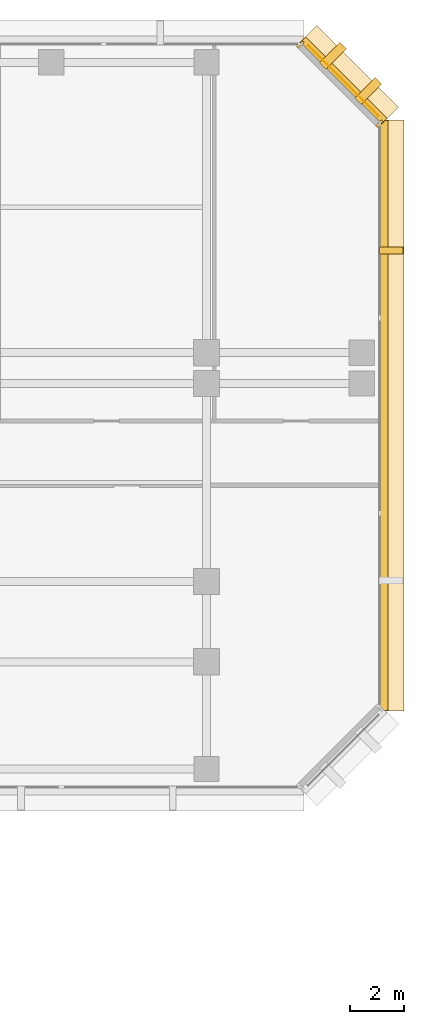
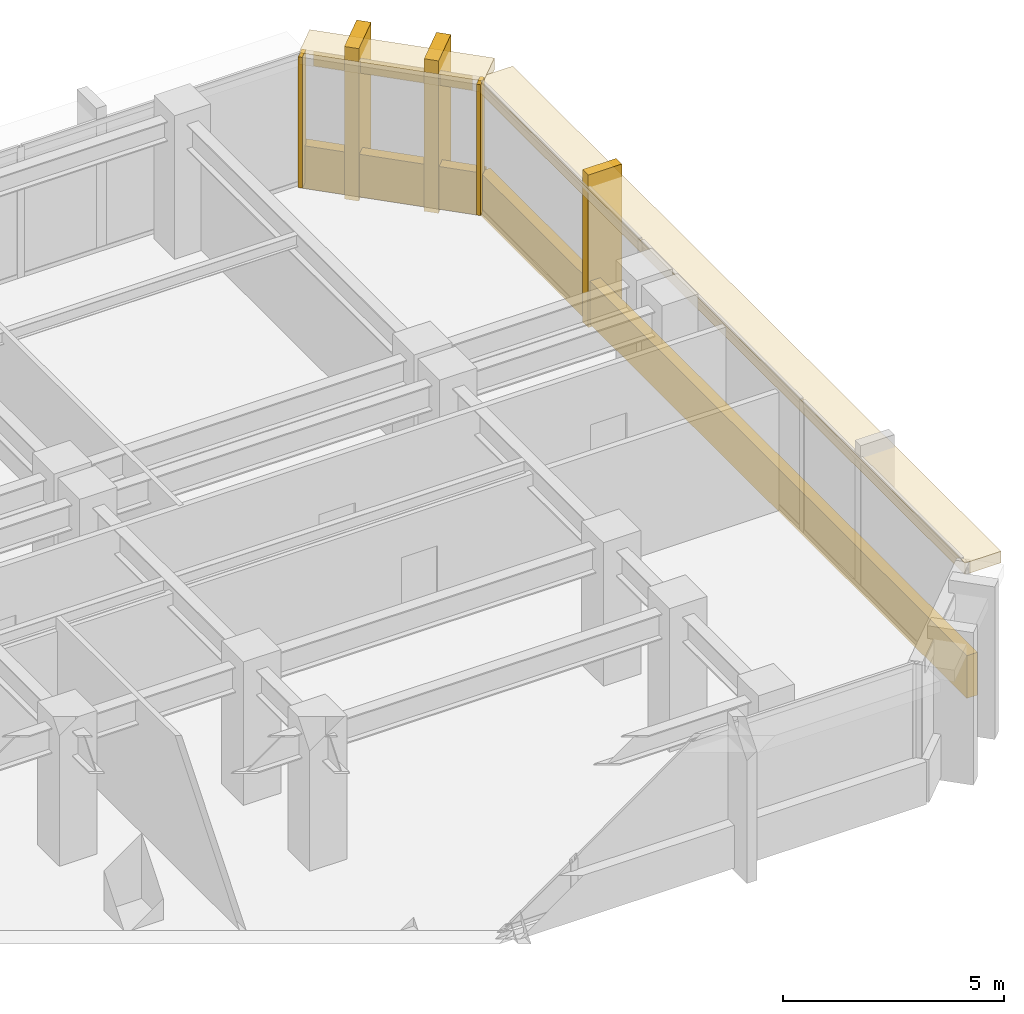
# One storey, part 13 of 13: 10 coverings.
"""IFC4 building model written with IfcOpenShell, lengths in metres."""

import ifcopenshell
import ifcopenshell.guid

model = None  # the IFC model being written
_history = None  # IfcOwnerHistory: only IFC2X3 demands one
_inside = {}  # id of a spatial element -> (the spatial element, [elements in it])
_under = {}  # id of a project, library or spatial element -> (it, [spatial elements below it])
_declared = {}  # id of a project -> (the project, [libraries it declares])
_typed = {}  # id of a type object -> (the type object, [elements of that type])
_made_of = {}  # id of a material, layer set ... -> (it, [elements and type objects made of it])


def new_model(schema):
    """Start an empty IFC model of exactly this schema.

    Asked for "IFC4X3", IfcOpenShell would pick the latest addendum, in which some entities
    have other attributes; the version numbers below select the first issue.
    IFC2X3 requires an IfcOwnerHistory on every rooted entity: one is made here for all.
    """
    global model, _history
    if schema == "IFC4X3":
        model = ifcopenshell.file(schema_version=(4, 3, 0, 0))
    else:
        model = ifcopenshell.file(schema=schema)
    _inside.clear()
    _under.clear()
    _declared.clear()
    _typed.clear()
    _made_of.clear()
    _history = None
    if model.schema == "IFC2X3":
        org = make("IfcOrganization", Name="unknown")
        user = make(
            "IfcPersonAndOrganization",
            ThePerson=make("IfcPerson", FamilyName="unknown"),
            TheOrganization=org,
        )
        app = make(
            "IfcApplication",
            ApplicationDeveloper=org,
            Version="unknown",
            ApplicationFullName="unknown",
            ApplicationIdentifier="unknown",
        )
        _history = make(
            "IfcOwnerHistory",
            OwningUser=user,
            OwningApplication=app,
            ChangeAction="ADDED",
            CreationDate=0,
        )
    return model


def make(cls, **values):
    """One entity of the class cls with the attributes given. An attribute that is None is left unset."""
    return model.create_entity(
        cls, **{name: value for name, value in values.items() if value is not None}
    )


def rooted(cls, **values):
    """An entity with a GlobalId (a new one), such as an element, a storey or a relation."""
    return make(cls, GlobalId=ifcopenshell.guid.new(), OwnerHistory=_history, **values)


def si_unit(unit_type, name, prefix=None):
    """IfcSIUnit, for example si_unit("LENGTHUNIT", "METRE", prefix="MILLI")."""
    return make("IfcSIUnit", UnitType=unit_type, Prefix=prefix, Name=name)


def assignment(units):
    """IfcUnitAssignment: the units of a project."""
    return None if units is None else make("IfcUnitAssignment", Units=units)


def point(xyz):
    """IfcCartesianPoint."""
    return None if xyz is None else make("IfcCartesianPoint", Coordinates=xyz)


def direction(xyz):
    """IfcDirection."""
    return None if xyz is None else make("IfcDirection", DirectionRatios=xyz)


def frame(location, z_axis=None, x_axis=None):
    """IfcAxis2Placement3D, a coordinate frame: its origin and axes. An axis left out is left unset."""
    return make(
        "IfcAxis2Placement3D",
        Location=point(location),
        Axis=direction(z_axis),
        RefDirection=direction(x_axis),
    )


def frame_2d(location, x_axis=None):
    """IfcAxis2Placement2D, a coordinate frame in the plane: its origin and x axis."""
    return make(
        "IfcAxis2Placement2D", Location=point(location), RefDirection=direction(x_axis)
    )


def origin():
    """The frame at (0, 0, 0) with its axes left unset."""
    return frame((0.0, 0.0, 0.0))


def origin_2d():
    """The frame at (0, 0) in the plane with its x axis left unset."""
    return frame_2d((0.0, 0.0))


def place(relative_to, where):
    """IfcLocalPlacement: puts the frame where relative to a parent placement (None: the world)."""
    return make(
        "IfcLocalPlacement", PlacementRelTo=relative_to, RelativePlacement=where
    )


def context(
    kind, dimensions, precision=None, world=None, true_north=None, identifier=None
):
    """IfcGeometricRepresentationContext, for example the 3D "Model" context."""
    return make(
        "IfcGeometricRepresentationContext",
        ContextIdentifier=identifier,
        ContextType=kind,
        CoordinateSpaceDimension=dimensions,
        Precision=precision,
        WorldCoordinateSystem=world,
        TrueNorth=true_north,
    )


def subcontext(parent, identifier, kind, view, scale=None):
    """IfcGeometricRepresentationSubContext, for example "Body" below "Model"."""
    return make(
        "IfcGeometricRepresentationSubContext",
        ContextIdentifier=identifier,
        ContextType=kind,
        ParentContext=parent,
        TargetScale=scale,
        TargetView=view,
    )


def project(units=None, contexts=None):
    """IfcProject with its units and contexts."""
    return rooted(
        "IfcProject",
        Name="project",
        RepresentationContexts=contexts,
        UnitsInContext=assignment(units),
    )


def spatial(cls, under=None, at=None, **own):
    """A site, building, storey or space (cls), placed at a placement, below another one or the project."""
    s = rooted(cls, ObjectPlacement=at, **own)
    if under is not None:
        _under.setdefault(under.id(), (under, []))[1].append(s)
    return s


def profile(cls, at=None, kind="AREA", **sizes):
    """A parametric profile (cls). Its sizes go by their IFC names, for example OverallWidth=200.0."""
    return make(cls, ProfileType=kind, Position=at, **sizes)


def rectangle(**sizes):
    """IfcRectangleProfileDef."""
    return profile("IfcRectangleProfileDef", **sizes)


def extrude(swept, where, along, depth):
    """IfcExtrudedAreaSolid: the profile swept, set in the frame where, extruded along a direction by depth."""
    return make(
        "IfcExtrudedAreaSolid",
        SweptArea=swept,
        Position=where,
        ExtrudedDirection=direction(along),
        Depth=depth,
    )


def shape(context_of_items, identifier, shape_type, items):
    """IfcShapeRepresentation: the items that make up one representation, for example the "Body"."""
    return make(
        "IfcShapeRepresentation",
        ContextOfItems=context_of_items,
        RepresentationIdentifier=identifier,
        RepresentationType=shape_type,
        Items=items,
    )


def material(Name=None, Category=None):
    """IfcMaterial."""
    return make("IfcMaterial", Name=Name, Category=Category)


def layer(
    of_material, thickness, ventilated=None, Name=None, Category=None, Priority=None
):
    """IfcMaterialLayer: one layer of a wall or slab, of a material (None: an air gap)."""
    return make(
        "IfcMaterialLayer",
        Material=of_material,
        LayerThickness=thickness,
        IsVentilated=ventilated,
        Name=Name,
        Category=Category,
        Priority=Priority,
    )


def layer_set(layers, Name=None):
    """IfcMaterialLayerSet."""
    return make("IfcMaterialLayerSet", MaterialLayers=layers, LayerSetName=Name)


def made_of(thing, what):
    """Note that an element or type object is made of a material, layer set ...; save() writes the relation."""
    if what is not None:
        _made_of.setdefault(what.id(), (what, []))[1].append(thing)
    return thing


def type_object(cls, material=None, **own):
    """A type object (cls), such as IfcWallType, which elements share."""
    return made_of(rooted(cls, **own), material)


def element(
    cls,
    number,
    at=None,
    inside=None,
    cuts=None,
    type_object=None,
    material=None,
    context=None,
    identifier="Body",
    shape_type=None,
    held_by="IfcProductDefinitionShape",
    body=None,
    shapes=None,
    **own,
):
    """One element of the class cls, such as IfcWall. Its Tag is "e" and its number.

    at: its placement. inside: the storey or other place that contains it. cuts: it is an
    opening in that element (IfcRelVoidsElement). A single representation is given by context,
    identifier, shape_type and body (its items); several are given by shapes. held_by: the class
    of the entity that holds the representations. save() writes the other relations.
    """
    e = rooted(cls, Tag="e%d" % number, ObjectPlacement=at, **own)
    if body is not None:
        shapes = [shape(context, identifier, shape_type, body)]
    if shapes is not None:
        e.Representation = make(held_by, Representations=shapes)
    if inside is not None:
        _inside.setdefault(inside.id(), (inside, []))[1].append(e)
    if cuts is not None:
        rooted(
            "IfcRelVoidsElement", RelatingBuildingElement=cuts, RelatedOpeningElement=e
        )
    if type_object is not None:
        _typed.setdefault(type_object.id(), (type_object, []))[1].append(e)
    return made_of(e, material)


def aggregate(whole, parts):
    """IfcRelAggregates: a whole, such as a stair, and the parts it consists of."""
    return rooted("IfcRelAggregates", RelatingObject=whole, RelatedObjects=parts)


def save(model, path):
    """Write the relations noted so far, then the file.

    IfcRelAggregates (storeys below a building ...), IfcRelContainedInSpatialStructure (elements
    in a storey), IfcRelDefinesByType, IfcRelAssociatesMaterial and IfcRelDeclares: one each for
    every whole, place, type object, material and project.
    """
    for whole, parts in _under.values():
        aggregate(whole, parts)
    for where, things in _inside.values():
        rooted(
            "IfcRelContainedInSpatialStructure",
            RelatedElements=things,
            RelatingStructure=where,
        )
    for kind, things in _typed.values():
        rooted("IfcRelDefinesByType", RelatedObjects=things, RelatingType=kind)
    for what, things in _made_of.values():
        rooted("IfcRelAssociatesMaterial", RelatedObjects=things, RelatingMaterial=what)
    for by, libraries in _declared.values():
        rooted("IfcRelDeclares", RelatingContext=by, RelatedDefinitions=libraries)
    model.write(path)


model = new_model("IFC4")

# Units and contexts
model_context = context("Model", 3, precision=1e-05, world=origin(), true_north=direction((0.0, 1.0)))
body_context = subcontext(model_context, "Body", "Model", "MODEL_VIEW")
ifc_project = project(units=[si_unit("LENGTHUNIT", "METRE"), si_unit("AREAUNIT", "SQUARE_METRE"), si_unit("VOLUMEUNIT", "CUBIC_METRE"), si_unit("PLANEANGLEUNIT", "RADIAN"), si_unit("MASSUNIT", "GRAM", prefix="KILO")], contexts=[model_context])

# Site, building, storey
site_placement = place(None, origin())
site = spatial("IfcSite", under=ifc_project, at=site_placement, CompositionType="ELEMENT")
building_placement = place(site_placement, origin())
building = spatial("IfcBuilding", under=site, at=building_placement, Name="Kefirva Bronze Tower", CompositionType="ELEMENT")
storey_placement = place(building_placement, frame((0.0, 0.0, 89.760009765625)))
storey = spatial("IfcBuildingStorey", under=building, at=storey_placement, Name="L21", CompositionType="ELEMENT", Elevation=89.760009765625)

# Coverings
ifc_material = material(Name="Bronze anodised aluminium", Category="aluminium")
ifc_layer_1 = layer(ifc_material, 0.02001953125, Name="Bronze anodised aluminium")
ifc_layer_set_1 = layer_set([ifc_layer_1], Name="Bronze anodised aluminium")
covering_type_1 = type_object("IfcCoveringType", Name="Anodised Bronze Spandrel Cladding 20mm", PredefinedType="CLADDING", material=ifc_layer_set_1)
covering_1_placement = place(storey_placement, frame((56.0400390625, 32.0, -0.16015625), z_axis=(0.0, 0.0, 1.0), x_axis=(0.0, 1.0, 0.0)))
element("IfcCovering", 1, at=covering_1_placement, inside=storey, type_object=covering_type_1, Name="L21 Streamline Horizontal Spandrel Band 10", PredefinedType="CLADDING", context=body_context, shape_type="SweptSolid", body=[
    extrude(rectangle(XDim=22.0400390625, YDim=0.280029296875, at=origin_2d()), origin(), (0.0, 0.0, 1.0), 1.179931640625),
])
covering_2_placement = place(storey_placement, frame((54.507080078125, 44.507080078125, 3.18994140625), z_axis=(0.0, 0.0, 1.0), x_axis=(-0.707106781187, 0.707106781187, 0.0)))
element("IfcCovering", 2, at=covering_2_placement, inside=storey, type_object=covering_type_1, Name="L21 Bronze Spandrel Cladding 8", PredefinedType="CLADDING", context=body_context, shape_type="SweptSolid", body=[
    extrude(rectangle(XDim=3.719482421875, YDim=0.02001953125, at=origin_2d()), origin(), (0.0, 0.0, 1.0), 0.39990234375),
])
for number, where, z_axis, x_axis, name in (
    (3, (55.862060546875, 42.91162109375, 0.0), (0.0, 0.0, 1.0), (-0.707106781187, 0.707106781187, 0.0), "L21 Facade Joint Closure Panel 8S"),
    (4, (52.91162109375, 45.862060546875, 0.0), (0.0, 0.0, 1.0), (-0.707106781187, 0.707106781187, 0.0), "L21 Facade Joint Closure Panel 8E"),
):
    element("IfcCovering", number, at=place(storey_placement, frame(where, z_axis=z_axis, x_axis=x_axis)), inside=storey, type_object=covering_type_1, Name=name, PredefinedType="CLADDING", context=body_context, shape_type="SweptSolid", body=[
        extrude(rectangle(XDim=0.10009765625, YDim=0.320068359375, at=origin_2d()), origin(), (0.0, 0.0, 1.0), 3.610107421875),
    ])
covering_3_placement = place(storey_placement, frame((54.5283203125, 44.5283203125, -0.16015625), z_axis=(0.0, 0.0, 1.0), x_axis=(-0.707106781187, 0.707106781187, 0.0)))
element("IfcCovering", 5, at=covering_3_placement, inside=storey, type_object=covering_type_1, Name="L21 Streamline Horizontal Spandrel Band 11", PredefinedType="CLADDING", context=body_context, shape_type="SweptSolid", body=[
    extrude(rectangle(XDim=4.28271484375, YDim=0.280029296875, at=origin_2d()), origin(), (0.0, 0.0, 1.0), 1.179931640625),
])
ifc_layer_2 = layer(ifc_material, 0.179931640625, Name="Bronze anodised aluminium")
ifc_layer_set_2 = layer_set([ifc_layer_2], Name="Bronze anodised aluminium")
covering_type_2 = type_object("IfcCoveringType", Name="Streamline Bronze Sunshade Eyebrow Cladding 180mm", PredefinedType="CLADDING", material=ifc_layer_set_2)
covering_4_placement = place(storey_placement, frame((56.31005859375, 32.0, 3.2900390625), z_axis=(0.0, 0.0, 1.0), x_axis=(0.0, 1.0, 0.0)))
element("IfcCovering", 6, at=covering_4_placement, inside=storey, type_object=covering_type_2, Name="L21 Streamline Bronze Sunshade Eyebrow 10", PredefinedType="CLADDING", context=body_context, shape_type="SweptSolid", body=[
    extrude(rectangle(XDim=22.080078125, YDim=0.93994140625, at=origin_2d()), origin(), (0.0, 0.0, 1.0), 0.320068359375),
])
covering_5_placement = place(storey_placement, frame((54.71923828125, 44.71923828125, 3.2900390625), z_axis=(0.0, 0.0, 1.0), x_axis=(-0.707106781187, 0.707106781187, 0.0)))
element("IfcCovering", 7, at=covering_5_placement, inside=storey, type_object=covering_type_2, Name="L21 Streamline Bronze Sunshade Eyebrow 11", PredefinedType="CLADDING", context=body_context, shape_type="SweptSolid", body=[
    extrude(rectangle(XDim=4.322509765625, YDim=0.93994140625, at=origin_2d()), origin(), (0.0, 0.0, 1.0), 0.320068359375),
])
ifc_layer_3 = layer(ifc_material, 0.260009765625, Name="Bronze anodised aluminium")
ifc_layer_set_3 = layer_set([ifc_layer_3], Name="Bronze anodised aluminium")
covering_type_3 = type_object("IfcCoveringType", Name="Unbroken Bronze Buttress Fin Cladding 260mm", PredefinedType="CLADDING", material=ifc_layer_set_3)
covering_6_placement = place(storey_placement, frame((56.300048828125, 38.159912109375, -0.25), z_axis=(0.0, 0.0, 1.0), x_axis=(0.0, 1.0, 0.0)))
element("IfcCovering", 8, at=covering_6_placement, inside=storey, type_object=covering_type_3, Name="L21 Unbroken Vertical Bronze Rib Fin 16", PredefinedType="CLADDING", context=body_context, shape_type="SweptSolid", body=[
    extrude(rectangle(XDim=0.260009765625, YDim=0.8798828125, at=origin_2d()), origin(), (0.0, 0.0, 1.0), 4.2099609375),
])
for number, where, z_axis, x_axis, name in (
    (9, (55.44287109375, 44.122802734375, -0.25), (0.0, 0.0, 1.0), (-0.707106781187, 0.707106781187, 0.0), "L21 Chamfered Corner Buttress Fin Cladding 17"),
    (10, (54.122802734375, 45.44287109375, -0.25), (0.0, 0.0, 1.0), (-0.707106781187, 0.707106781187, 0.0), "L21 Chamfered Corner Buttress Fin Cladding 18"),
):
    element("IfcCovering", number, at=place(storey_placement, frame(where, z_axis=z_axis, x_axis=x_axis)), inside=storey, type_object=covering_type_3, Name=name, PredefinedType="CLADDING", context=body_context, shape_type="SweptSolid", body=[
        extrude(rectangle(XDim=0.340087890625, YDim=1.080078125, at=origin_2d()), origin(), (0.0, 0.0, 1.0), 4.2099609375),
    ])

save(model, "model.ifc")
